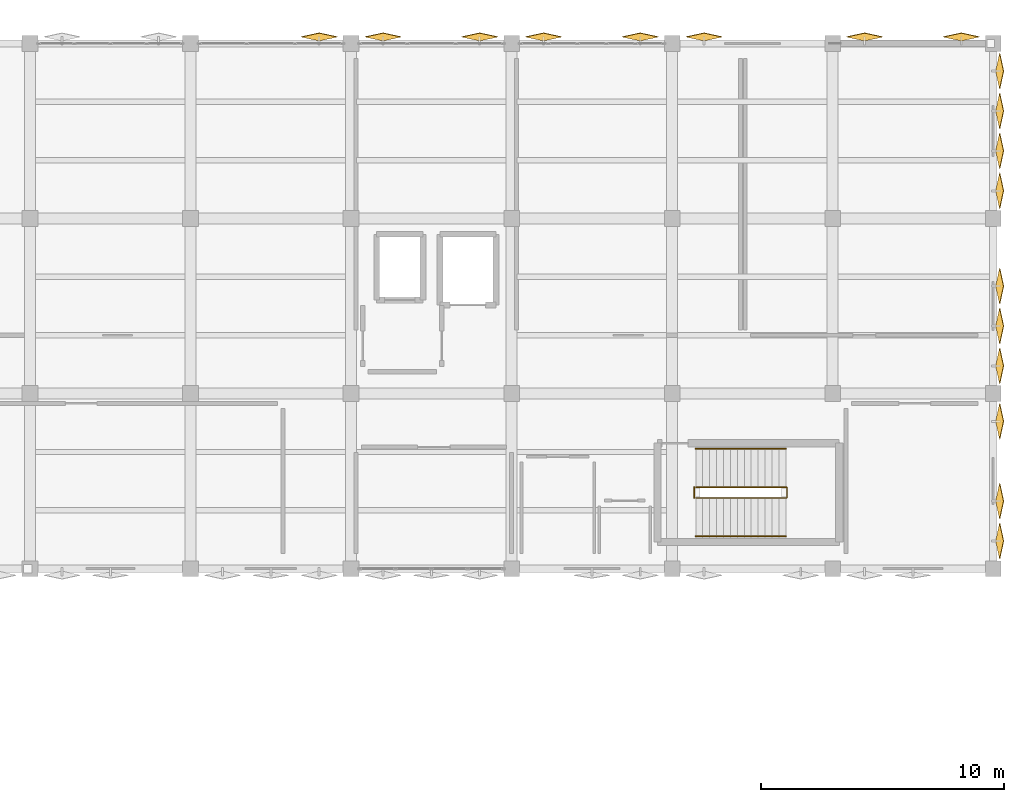
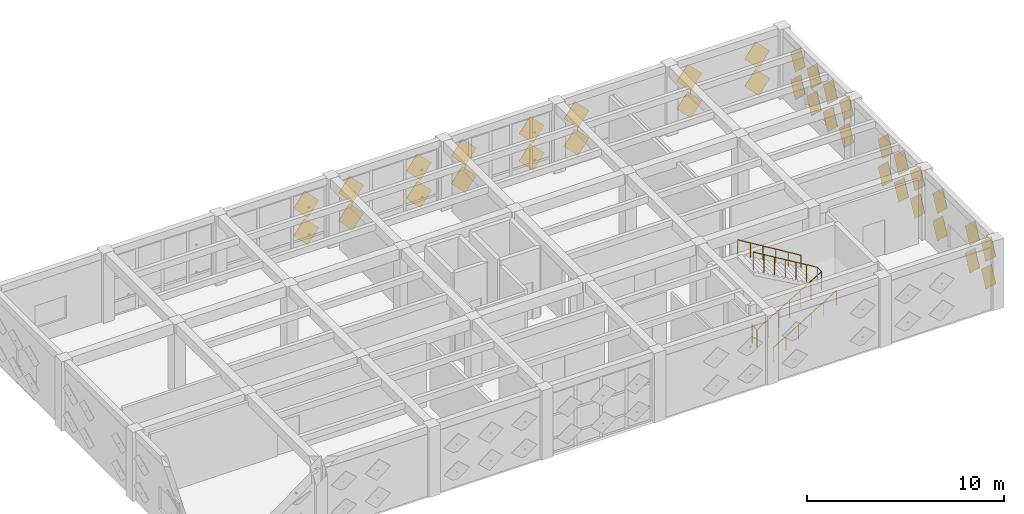
# One storey, part 39 of 39: 36 coverings, 4 railings.
"""IFC4 building model written with IfcOpenShell, lengths in metres."""

from ifc_helpers import new_model, si_unit, direction, frame, origin, origin_2d, place, context, subcontext, project, spatial, polyline, circle, outline, extrude, material, type_object, element, save


model = new_model("IFC4")

# Units and contexts
model_context = context("Model", 3, precision=1e-05, world=origin(), true_north=direction((0.0, 1.0)))
body_context = subcontext(model_context, "Body", "Model", "MODEL_VIEW")
ifc_project = project(units=[si_unit("LENGTHUNIT", "METRE"), si_unit("AREAUNIT", "SQUARE_METRE"), si_unit("VOLUMEUNIT", "CUBIC_METRE"), si_unit("PLANEANGLEUNIT", "RADIAN"), si_unit("MASSUNIT", "GRAM", prefix="KILO")], contexts=[model_context])

# Site, building, storey
site_placement = place(None, origin())
site = spatial("IfcSite", under=ifc_project, at=site_placement, CompositionType="ELEMENT")
building_placement = place(site_placement, origin())
building = spatial("IfcBuilding", under=site, at=building_placement, Name="Kharisveld Research Institute", CompositionType="ELEMENT")
storey_placement = place(building_placement, frame((0.0, 0.0, 18.60009765625)))
storey = spatial("IfcBuildingStorey", under=building, at=storey_placement, Name="L04", CompositionType="ELEMENT", Elevation=18.60009765625)

# Railings
ifc_material_1 = material(Name="Steel S355JR", Category="steel")
railing_type_1 = type_object("IfcRailingType", Name="RL_GRD_STR", PredefinedType="GUARDRAIL", material=ifc_material_1)
railing_1_placement = place(storey_placement, frame((148.570068359375, 42.110107421875, 0.0)))
element("IfcRailing", 1, at=railing_1_placement, inside=storey, type_object=railing_type_1, Name="RLG:ST3:L04:GRD_SLOT", PredefinedType="GUARDRAIL", context=body_context, shape_type="SweptSolid", body=[
    extrude(circle(Radius=0.02392578125, at=origin_2d()), frame((0.0, 0.0, 1.09619140625), z_axis=(0.857182128291, 0.0, 0.515013396853), x_axis=(0.0, 1.0, 0.0)), (0.0, 0.0, 1.0), 4.368896484375),
    extrude(circle(Radius=0.02392578125, at=origin_2d()), frame((3.744873046875, 0.0, 3.34619140625), z_axis=(0.0, 1.0, 0.0), x_axis=(-1.0, 0.0, 0.0)), (0.0, 0.0, 1.0), 0.43994140625),
    extrude(circle(Radius=0.02392578125, at=origin_2d()), frame((3.744873046875, 0.43994140625, 3.34619140625), z_axis=(-0.857182128291, 0.0, 0.515013396853), x_axis=(0.0, -1.0, 0.0)), (0.0, 0.0, 1.0), 4.368896484375),
    extrude(circle(Radius=0.02099609375, at=origin_2d()), origin(), (0.0, 0.0, 1.0), 1.072021484375),
    extrude(circle(Radius=0.02099609375, at=origin_2d()), frame((0.6240234375, 0.0, 0.375)), (0.0, 0.0, 1.0), 1.072021484375),
    extrude(circle(Radius=0.02099609375, at=origin_2d()), frame((1.248291015625, 0.0, 0.75)), (0.0, 0.0, 1.0), 1.072021484375),
    extrude(circle(Radius=0.02099609375, at=origin_2d()), frame((1.87255859375, 0.0, 1.125)), (0.0, 0.0, 1.0), 1.072021484375),
    extrude(circle(Radius=0.02099609375, at=origin_2d()), frame((2.49658203125, 0.0, 1.5)), (0.0, 0.0, 1.0), 1.072021484375),
    extrude(circle(Radius=0.02099609375, at=origin_2d()), frame((3.12060546875, 0.0, 1.875)), (0.0, 0.0, 1.0), 1.072021484375),
    extrude(circle(Radius=0.02099609375, at=origin_2d()), frame((3.744873046875, 0.0, 2.25)), (0.0, 0.0, 1.0), 1.072021484375),
    extrude(circle(Radius=0.02099609375, at=origin_2d()), frame((3.744873046875, 0.43994140625, 2.25)), (0.0, 0.0, 1.0), 1.072021484375),
    extrude(circle(Radius=0.02099609375, at=origin_2d()), frame((3.12060546875, 0.43994140625, 2.625)), (0.0, 0.0, 1.0), 1.072021484375),
    extrude(circle(Radius=0.02099609375, at=origin_2d()), frame((2.49658203125, 0.43994140625, 3.0)), (0.0, 0.0, 1.0), 1.072021484375),
    extrude(circle(Radius=0.02099609375, at=origin_2d()), frame((1.87255859375, 0.43994140625, 3.375)), (0.0, 0.0, 1.0), 1.072021484375),
    extrude(circle(Radius=0.02099609375, at=origin_2d()), frame((1.248291015625, 0.43994140625, 3.75)), (0.0, 0.0, 1.0), 1.072021484375),
    extrude(circle(Radius=0.02099609375, at=origin_2d()), frame((0.6240234375, 0.43994140625, 4.125)), (0.0, 0.0, 1.0), 1.072021484375),
    extrude(circle(Radius=0.02099609375, at=origin_2d()), frame((0.0, 0.43994140625, 4.5)), (0.0, 0.0, 1.0), 1.072021484375),
])
railing_2_placement = place(storey_placement, frame((148.510009765625, 42.110107421875, 0.0)))
element("IfcRailing", 2, at=railing_2_placement, inside=storey, type_object=railing_type_1, Name="RLG:ST3:L04:GRD_FLRSLOT", PredefinedType="GUARDRAIL", context=body_context, shape_type="SweptSolid", body=[
    extrude(circle(Radius=0.02392578125, at=origin_2d()), frame((0.0, 0.0, 1.09619140625), z_axis=(0.0, 1.0, 0.0), x_axis=(-1.0, 0.0, 0.0)), (0.0, 0.0, 1.0), 0.43994140625),
    extrude(circle(Radius=0.02099609375, at=origin_2d()), origin(), (0.0, 0.0, 1.0), 1.072021484375),
    extrude(circle(Radius=0.02099609375, at=origin_2d()), frame((0.0, 0.43994140625, 0.0)), (0.0, 0.0, 1.0), 1.072021484375),
])
ifc_material_2 = material(Name="Stainless Steel 316", Category="steel")
railing_type_2 = type_object("IfcRailingType", Name="RL_HND_STR", PredefinedType="HANDRAIL", material=ifc_material_2)
railing_3_placement = place(storey_placement, frame((148.570068359375, 40.530029296875, 0.0)))
element("IfcRailing", 3, at=railing_3_placement, inside=storey, type_object=railing_type_2, Name="RLG:ST3:L04:HR1", PredefinedType="HANDRAIL", context=body_context, shape_type="SweptSolid", body=[
    extrude(circle(Radius=0.02392578125, at=origin_2d()), frame((0.0, 0.0, 0.89599609375), z_axis=(0.854722365387, 0.0, 0.519085424673), x_axis=(0.0, 1.0, 0.0)), (0.0, 0.0, 1.0), 4.33447265625),
    extrude(circle(Radius=0.02099609375, at=origin_2d()), origin(), (0.0, 0.0, 1.0), 0.871826171875),
    extrude(circle(Radius=0.02099609375, at=origin_2d()), frame((0.740966796875, 0.0, 0.449951171875)), (0.0, 0.0, 1.0), 0.871826171875),
    extrude(circle(Radius=0.02099609375, at=origin_2d()), frame((1.48193359375, 0.0, 0.89990234375)), (0.0, 0.0, 1.0), 0.871826171875),
    extrude(circle(Radius=0.02099609375, at=origin_2d()), frame((2.222900390625, 0.0, 1.35009765625)), (0.0, 0.0, 1.0), 0.871826171875),
    extrude(circle(Radius=0.02099609375, at=origin_2d()), frame((2.9638671875, 0.0, 1.800048828125)), (0.0, 0.0, 1.0), 0.871826171875),
    extrude(circle(Radius=0.02099609375, at=origin_2d()), frame((3.704833984375, 0.0, 2.25)), (0.0, 0.0, 1.0), 0.871826171875),
])
railing_4_placement = place(storey_placement, frame((152.27490234375, 44.1298828125, 2.25)))
element("IfcRailing", 4, at=railing_4_placement, inside=storey, type_object=railing_type_2, Name="RLG:ST3:L04:HR2", PredefinedType="HANDRAIL", context=body_context, shape_type="SweptSolid", body=[
    extrude(circle(Radius=0.02392578125, at=origin_2d()), frame((0.0, 0.0, 0.89599609375), z_axis=(-0.854722365387, 0.0, 0.519085424673), x_axis=(0.0, -1.0, 0.0)), (0.0, 0.0, 1.0), 4.33447265625),
    extrude(circle(Radius=0.02099609375, at=origin_2d()), origin(), (0.0, 0.0, 1.0), 0.871826171875),
    extrude(circle(Radius=0.02099609375, at=origin_2d()), frame((-0.740966796875, 0.0, 0.449951171875)), (0.0, 0.0, 1.0), 0.871826171875),
    extrude(circle(Radius=0.02099609375, at=origin_2d()), frame((-1.48193359375, 0.0, 0.89990234375)), (0.0, 0.0, 1.0), 0.871826171875),
    extrude(circle(Radius=0.02099609375, at=origin_2d()), frame((-2.222900390625, 0.0, 1.35009765625)), (0.0, 0.0, 1.0), 0.871826171875),
    extrude(circle(Radius=0.02099609375, at=origin_2d()), frame((-2.9638671875, 0.0, 1.800048828125)), (0.0, 0.0, 1.0), 0.871826171875),
    extrude(circle(Radius=0.02099609375, at=origin_2d()), frame((-3.704833984375, 0.0, 2.25)), (0.0, 0.0, 1.0), 0.871826171875),
])

# Coverings
ifc_material_3 = material(Name="White Powder-Coated Perforated Aluminium", Category="aluminium")
covering_type = type_object("IfcCoveringType", Name="CV_DIA_105", PredefinedType="CLADDING")
for number, where, z_axis, x_axis, name in (
    (5, (133.086669921875, 60.8994140625, 0.324951171875), (0.0, -0.97631069788, 0.216373337556), (0.707102116981, 0.153000063457, 0.6903604687), "SHD:V2:L04:N2:S2C0"),
    (6, (133.086669921875, 60.8994140625, 2.025146484375), (0.0, -0.97631069788, 0.216373337556), (0.707102116981, 0.153000063457, 0.6903604687), "SHD:V2:L04:N2:S2C1"),
    (7, (135.71337890625, 60.8994140625, 0.324951171875), (0.0, -0.97631069788, 0.216373337556), (0.707102116981, 0.153000063457, 0.6903604687), "SHD:V2:L04:N3:S0C0"),
    (8, (135.71337890625, 60.8994140625, 2.025146484375), (0.0, -0.97631069788, 0.216373337556), (0.707102116981, 0.153000063457, 0.6903604687), "SHD:V2:L04:N3:S0C1"),
):
    element("IfcCovering", number, at=place(storey_placement, frame(where, z_axis=z_axis, x_axis=x_axis)), inside=storey, type_object=covering_type, material=ifc_material_3, Name=name, PredefinedType="CLADDING", context=body_context, shape_type="SweptSolid", body=[
        extrude(outline(polyline([(0.0, 0.0), (1.0499638210603182, 0.0), (1.0499776725217052, 1.0499638209689517), (1.3851461386993336e-05, 1.0499638209689517), (0.0, 0.0)])), origin(), (0.0, 0.0, -1.0), 0.02392578125),
    ])
for number, where, z_axis, x_axis, name in (
    (9, (139.686767578125, 60.8994140625, 0.324951171875), (0.0, -0.97631069788, 0.216373337556), (0.707102116981, 0.153000063457, 0.6903604687), "SHD:V2:L04:N3:S2C0"),
    (10, (139.686767578125, 60.8994140625, 2.025146484375), (0.0, -0.97631069788, 0.216373337556), (0.707102116981, 0.153000063457, 0.6903604687), "SHD:V2:L04:N3:S2C1"),
):
    element("IfcCovering", number, at=place(storey_placement, frame(where, z_axis=z_axis, x_axis=x_axis)), inside=storey, type_object=covering_type, material=ifc_material_3, Name=name, PredefinedType="CLADDING", context=body_context, shape_type="SweptSolid", body=[
        extrude(outline(polyline([(0.0, 0.0), (1.0499638210603182, 0.0), (1.0499776725217052, 1.0499638209689517), (-0.00015878089139154117, 1.050136455599167), (0.0, 0.0)])), origin(), (0.0, 0.0, -1.0), 0.02392578125),
    ])
for number, where, z_axis, x_axis, name in (
    (11, (142.313232421875, 60.8994140625, 0.324951171875), (0.0, -0.97631069788, 0.216373337556), (0.707218351292, 0.152974909648, 0.690246970738), "SHD:V2:L04:N4:S0C0"),
    (12, (142.313232421875, 60.8994140625, 2.025146484375), (0.0, -0.97631069788, 0.216373337556), (0.707218351292, 0.152974909648, 0.690246970738), "SHD:V2:L04:N4:S0C1"),
):
    element("IfcCovering", number, at=place(storey_placement, frame(where, z_axis=z_axis, x_axis=x_axis)), inside=storey, type_object=covering_type, material=ifc_material_3, Name=name, PredefinedType="CLADDING", context=body_context, shape_type="SweptSolid", body=[
        extrude(outline(polyline([(0.0, 0.0), (1.0501364676030216, 1.1102230246251565e-16), (1.0498050520855338, 1.0501364153068435), (-0.00015875478719196146, 1.0499638090584367), (0.0, 0.0)])), origin(), (0.0, 0.0, -1.0), 0.02392578125),
    ])
for number, where, z_axis, x_axis, name in (
    (13, (146.28662109375, 60.8994140625, 0.324951171875), (0.0, -0.97631069788, 0.216373337556), (0.707102116981, 0.153000063457, 0.6903604687), "SHD:V2:L04:N4:S2C0"),
    (14, (146.28662109375, 60.8994140625, 2.025146484375), (0.0, -0.97631069788, 0.216373337556), (0.707102116981, 0.153000063457, 0.6903604687), "SHD:V2:L04:N4:S2C1"),
    (15, (148.913330078125, 60.8994140625, 0.324951171875), (0.0, -0.97631069788, 0.216373337556), (0.707102116981, 0.153000063457, 0.6903604687), "SHD:V2:L04:N5:S0C0"),
    (16, (148.913330078125, 60.8994140625, 2.025146484375), (0.0, -0.97631069788, 0.216373337556), (0.707102116981, 0.153000063457, 0.6903604687), "SHD:V2:L04:N5:S0C1"),
):
    element("IfcCovering", number, at=place(storey_placement, frame(where, z_axis=z_axis, x_axis=x_axis)), inside=storey, type_object=covering_type, material=ifc_material_3, Name=name, PredefinedType="CLADDING", context=body_context, shape_type="SweptSolid", body=[
        extrude(outline(polyline([(0.0, 0.0), (1.0499638210603182, 0.0), (1.0499776725217052, 1.0499638209689517), (1.3851461386993336e-05, 1.0499638209689517), (0.0, 0.0)])), origin(), (0.0, 0.0, -1.0), 0.02392578125),
    ])
for number, where, z_axis, x_axis, name in (
    (17, (155.513427734375, 60.8994140625, 0.324951171875), (0.0, -0.97631069788, 0.216373337556), (0.707102116981, 0.153000063457, 0.6903604687), "SHD:V2:L04:N6:S0C0"),
    (18, (155.513427734375, 60.8994140625, 2.025146484375), (0.0, -0.97631069788, 0.216373337556), (0.707102116981, 0.153000063457, 0.6903604687), "SHD:V2:L04:N6:S0C1"),
):
    element("IfcCovering", number, at=place(storey_placement, frame(where, z_axis=z_axis, x_axis=x_axis)), inside=storey, type_object=covering_type, material=ifc_material_3, Name=name, PredefinedType="CLADDING", context=body_context, shape_type="SweptSolid", body=[
        extrude(outline(polyline([(0.0, 0.0), (1.0499638210603182, 0.0), (1.0499776725217052, 1.0499638209689517), (-0.00015878089139154117, 1.050136455599167), (0.0, 0.0)])), origin(), (0.0, 0.0, -1.0), 0.02392578125),
    ])
for number, where, z_axis, x_axis, name in (
    (19, (159.486572265625, 60.8994140625, 0.324951171875), (0.0, -0.97631069788, 0.216373337556), (0.707218351292, 0.152974909648, 0.690246970738), "SHD:V2:L04:N6:S2C0"),
    (20, (159.486572265625, 60.8994140625, 2.025146484375), (0.0, -0.97631069788, 0.216373337556), (0.707218351292, 0.152974909648, 0.690246970738), "SHD:V2:L04:N6:S2C1"),
):
    element("IfcCovering", number, at=place(storey_placement, frame(where, z_axis=z_axis, x_axis=x_axis)), inside=storey, type_object=covering_type, material=ifc_material_3, Name=name, PredefinedType="CLADDING", context=body_context, shape_type="SweptSolid", body=[
        extrude(outline(polyline([(0.0, 0.0), (1.0501364676030216, 1.1102230246251565e-16), (1.0498050520855338, 1.0501364153068435), (-0.00015875478719196146, 1.0499638090584367), (0.0, 0.0)])), origin(), (0.0, 0.0, -1.0), 0.02392578125),
    ])
for number, where, z_axis, x_axis, name in (
    (21, (160.8994140625, 59.659912109375, 0.324951171875), (-0.97631069788, 0.0, 0.216373337556), (0.153000063457, -0.707102116981, 0.6903604687), "SHD:V2:L04:E3:S0C0"),
    (22, (160.8994140625, 59.659912109375, 2.025146484375), (-0.97631069788, 0.0, 0.216373337556), (0.153000063457, -0.707102116981, 0.6903604687), "SHD:V2:L04:E3:S0C1"),
    (23, (160.8994140625, 58.02001953125, 0.324951171875), (-0.97631069788, 0.0, 0.216373337556), (0.153000063457, -0.707102116981, 0.6903604687), "SHD:V2:L04:E3:S1C0"),
    (24, (160.8994140625, 58.02001953125, 2.025146484375), (-0.97631069788, 0.0, 0.216373337556), (0.153000063457, -0.707102116981, 0.6903604687), "SHD:V2:L04:E3:S1C1"),
):
    element("IfcCovering", number, at=place(storey_placement, frame(where, z_axis=z_axis, x_axis=x_axis)), inside=storey, type_object=covering_type, material=ifc_material_3, Name=name, PredefinedType="CLADDING", context=body_context, shape_type="SweptSolid", body=[
        extrude(outline(polyline([(0.0, 0.0), (1.0499638210603182, 0.0), (1.0499776725217052, 1.0499638209689517), (1.3851461386993336e-05, 1.0499638209689517), (0.0, 0.0)])), origin(), (0.0, 0.0, -1.0), 0.02392578125),
    ])
for number, where, z_axis, x_axis, name in (
    (25, (160.8994140625, 56.3798828125, 0.324951171875), (-0.97631069788, 0.0, 0.216373337556), (0.153000063457, -0.707102116981, 0.6903604687), "SHD:V2:L04:E3:S2C0"),
    (26, (160.8994140625, 56.3798828125, 2.025146484375), (-0.97631069788, 0.0, 0.216373337556), (0.153000063457, -0.707102116981, 0.6903604687), "SHD:V2:L04:E3:S2C1"),
):
    element("IfcCovering", number, at=place(storey_placement, frame(where, z_axis=z_axis, x_axis=x_axis)), inside=storey, type_object=covering_type, material=ifc_material_3, Name=name, PredefinedType="CLADDING", context=body_context, shape_type="SweptSolid", body=[
        extrude(outline(polyline([(0.0, 0.0), (1.0499638210603182, 0.0), (1.0499776725217052, 1.0499638209689517), (-0.00015878089139154117, 1.050136455599167), (0.0, 0.0)])), origin(), (0.0, 0.0, -1.0), 0.02392578125),
    ])
for number, where, z_axis, x_axis, name in (
    (27, (160.8994140625, 54.739990234375, 0.324951171875), (-0.97631069788, 0.0, 0.216373337556), (0.153000063457, -0.707102116981, 0.6903604687), "SHD:V2:L04:E3:S3C0"),
    (28, (160.8994140625, 54.739990234375, 2.025146484375), (-0.97631069788, 0.0, 0.216373337556), (0.153000063457, -0.707102116981, 0.6903604687), "SHD:V2:L04:E3:S3C1"),
    (29, (160.8994140625, 50.820068359375, 0.324951171875), (-0.97631069788, 0.0, 0.216373337556), (0.153000063457, -0.707102116981, 0.6903604687), "SHD:V2:L04:E2:S1C0"),
    (30, (160.8994140625, 50.820068359375, 2.025146484375), (-0.97631069788, 0.0, 0.216373337556), (0.153000063457, -0.707102116981, 0.6903604687), "SHD:V2:L04:E2:S1C1"),
    (31, (160.8994140625, 49.179931640625, 0.324951171875), (-0.97631069788, 0.0, 0.216373337556), (0.153000063457, -0.707102116981, 0.6903604687), "SHD:V2:L04:E2:S2C0"),
    (32, (160.8994140625, 49.179931640625, 2.025146484375), (-0.97631069788, 0.0, 0.216373337556), (0.153000063457, -0.707102116981, 0.6903604687), "SHD:V2:L04:E2:S2C1"),
    (33, (160.8994140625, 47.5400390625, 0.324951171875), (-0.97631069788, 0.0, 0.216373337556), (0.153000063457, -0.707102116981, 0.6903604687), "SHD:V2:L04:E2:S3C0"),
    (34, (160.8994140625, 47.5400390625, 2.025146484375), (-0.97631069788, 0.0, 0.216373337556), (0.153000063457, -0.707102116981, 0.6903604687), "SHD:V2:L04:E2:S3C1"),
    (35, (160.8994140625, 45.260009765625, 0.324951171875), (-0.97631069788, 0.0, 0.216373337556), (0.153000063457, -0.707102116981, 0.6903604687), "SHD:V2:L04:E1:S0C0"),
    (36, (160.8994140625, 45.260009765625, 2.025146484375), (-0.97631069788, 0.0, 0.216373337556), (0.153000063457, -0.707102116981, 0.6903604687), "SHD:V2:L04:E1:S0C1"),
    (37, (160.8994140625, 41.97998046875, 0.324951171875), (-0.97631069788, 0.0, 0.216373337556), (0.153000063457, -0.707102116981, 0.6903604687), "SHD:V2:L04:E1:S2C0"),
    (38, (160.8994140625, 41.97998046875, 2.025146484375), (-0.97631069788, 0.0, 0.216373337556), (0.153000063457, -0.707102116981, 0.6903604687), "SHD:V2:L04:E1:S2C1"),
    (39, (160.8994140625, 40.340087890625, 0.324951171875), (-0.97631069788, 0.0, 0.216373337556), (0.153000063457, -0.707102116981, 0.6903604687), "SHD:V2:L04:E1:S3C0"),
    (40, (160.8994140625, 40.340087890625, 2.025146484375), (-0.97631069788, 0.0, 0.216373337556), (0.153000063457, -0.707102116981, 0.6903604687), "SHD:V2:L04:E1:S3C1"),
):
    element("IfcCovering", number, at=place(storey_placement, frame(where, z_axis=z_axis, x_axis=x_axis)), inside=storey, type_object=covering_type, material=ifc_material_3, Name=name, PredefinedType="CLADDING", context=body_context, shape_type="SweptSolid", body=[
        extrude(outline(polyline([(0.0, 0.0), (1.0499638210603182, 0.0), (1.0499776725217052, 1.0499638209689517), (1.3851461386993336e-05, 1.0499638209689517), (0.0, 0.0)])), origin(), (0.0, 0.0, -1.0), 0.02392578125),
    ])

save(model, "model.ifc")
